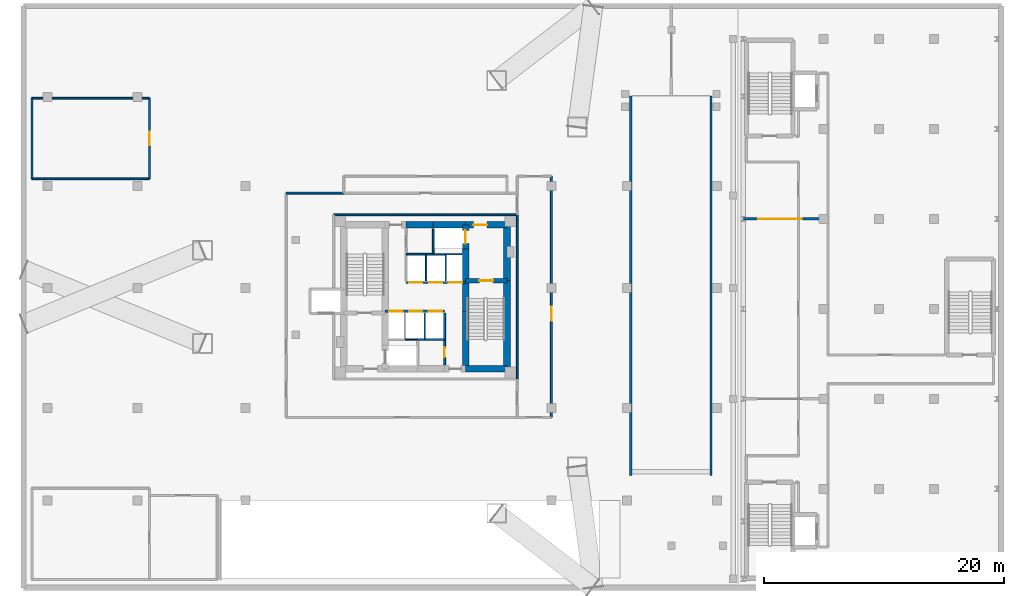
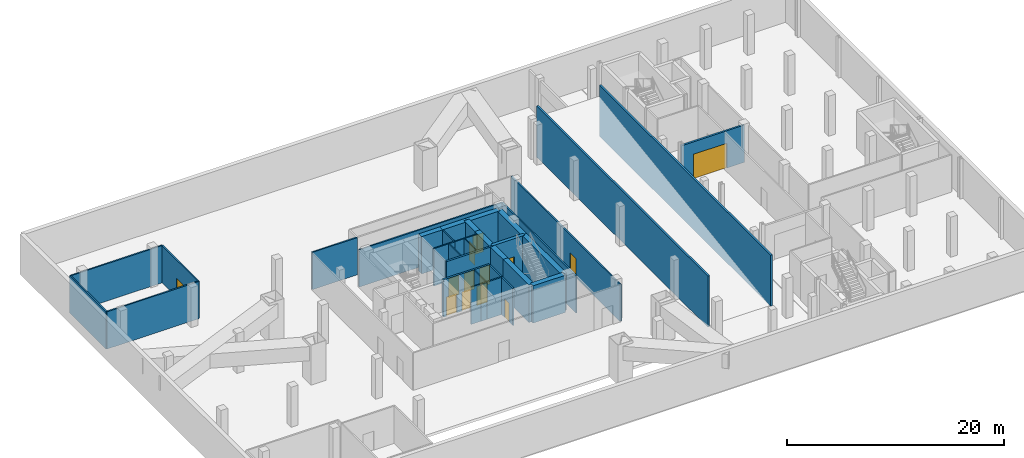
# One storey, part 7 of 14: 37 walls, 13 doors, 13 openings.
"""IFC4 building model written with IfcOpenShell, lengths in metres."""

from ifc_helpers import new_model, si_unit, direction, frame, frame_2d, origin, place, context, subcontext, project, spatial, rectangle, extrude, material, layer, layer_set, type_object, element, fill, save


model = new_model("IFC4")

# Units and contexts
model_context = context("Model", 3, precision=1e-05, world=origin(), true_north=direction((0.0, 1.0)))
body_context = subcontext(model_context, "Body", "Model", "MODEL_VIEW")
ifc_project = project(units=[si_unit("LENGTHUNIT", "METRE"), si_unit("AREAUNIT", "SQUARE_METRE"), si_unit("VOLUMEUNIT", "CUBIC_METRE"), si_unit("PLANEANGLEUNIT", "RADIAN"), si_unit("MASSUNIT", "GRAM", prefix="KILO")], contexts=[model_context])

# Site, building, storey
site_placement = place(None, origin())
site = spatial("IfcSite", under=ifc_project, at=site_placement, CompositionType="ELEMENT")
building_placement = place(site_placement, origin())
building = spatial("IfcBuilding", under=site, at=building_placement, Name="Mersakhor Tower and Convention Hall", CompositionType="ELEMENT")
storey_placement = place(building_placement, frame((0.0, 0.0, -4.5)))
storey = spatial("IfcBuildingStorey", under=building, at=storey_placement, Name="B01", CompositionType="ELEMENT", Elevation=-4.5)

# Walls
ifc_material_1 = material(Name="Precast concrete C40/50", Category="concrete")
ifc_layer_1 = layer(ifc_material_1, 0.199951171875)
ifc_layer_set_1 = layer_set([ifc_layer_1], Name="Precast concrete C40/50")
wall_type_1 = type_object("IfcWallType", Name="WL-PAR-200", PredefinedType="PARAPET", material=ifc_layer_set_1)
for number, where, z_axis, x_axis, name in (
    (1, (46.10009765625, 11.85009765625, 0.0), (0.0, 0.0, 1.0), (0.0, 1.0, 0.0), "Car Park Grade Ramp West Guard Wall"),
    (2, (52.800048828125, 43.5, 0.0), (0.0, 0.0, 1.0), (0.0, -1.0, 0.0), "Car Park Grade Ramp East Guard Wall"),
):
    element("IfcWall", number, at=place(storey_placement, frame(where, z_axis=z_axis, x_axis=x_axis)), inside=storey, type_object=wall_type_1, Name=name, PredefinedType="PARAPET", context=body_context, shape_type="SweptSolid", body=[
        extrude(rectangle(XDim=31.64990234375, YDim=0.199951171875, at=frame_2d((15.824951171875, 0.0))), origin(), (0.0, 0.0, 1.0), 5.75),
    ])
ifc_material_2 = material(Name="Lightweight gypsum partition", Category="other")
ifc_layer_2 = layer(ifc_material_2, 0.10009765625)
ifc_layer_set_2 = layer_set([ifc_layer_2], Name="Lightweight gypsum partition")
wall_type_2 = type_object("IfcWallType", Name="WL-PRT-100", PredefinedType="PARTITIONING", material=ifc_layer_set_2)
wall_1_placement = place(storey_placement, frame((27.300048828125, 23.199951171875, 0.0), z_axis=(0.0, 0.0, 1.0), x_axis=(1.0, 0.0, 0.0)))
element("IfcWall", 3, at=wall_1_placement, inside=storey, type_object=wall_type_2, Name="B01 Interior Partition Wall P-002", PredefinedType="PARTITIONING", context=body_context, shape_type="SweptSolid", body=[
    extrude(rectangle(XDim=1.050048828125, YDim=0.10009765625, at=frame_2d((0.52490234375, 0.0))), origin(), (0.0, 0.0, 1.0), 4.199951171875),
])
wall_2_placement = place(storey_placement, frame((32.02490234375, 30.300048828125, 0.0), z_axis=(0.0, 0.0, 1.0), x_axis=(-1.0, 0.0, 0.0)))
element("IfcWall", 4, at=wall_2_placement, inside=storey, type_object=wall_type_2, Name="B01 Interior Partition Wall P-004", PredefinedType="PARTITIONING", context=body_context, shape_type="SweptSolid", body=[
    extrude(rectangle(XDim=1.324951171875, YDim=0.10009765625, at=frame_2d((0.66259765625, 0.0))), origin(), (0.0, 0.0, 1.0), 4.199951171875),
])
for number, where, z_axis, x_axis, name in (
    (5, (28.949951171875, 25.39990234375, 0.0), (0.0, 0.0, 1.0), (0.0, -1.0, 0.0), "B01 Interior Partition Wall P-008"),
    (6, (30.699951171875, 30.300048828125, 0.0), (0.0, 0.0, 1.0), (0.0, -1.0, 0.0), "B01 Interior Partition Wall P-016"),
):
    element("IfcWall", number, at=place(storey_placement, frame(where, z_axis=z_axis, x_axis=x_axis)), inside=storey, type_object=wall_type_2, Name=name, PredefinedType="PARTITIONING", context=body_context, shape_type="SweptSolid", body=[
        extrude(rectangle(XDim=2.199951171875, YDim=0.10009765625, at=frame_2d((1.10009765625, 0.0))), origin(), (0.0, 0.0, 1.0), 4.199951171875),
    ])
ifc_material_3 = material(Name="Gypsum board acoustic partition", Category="other")
ifc_layer_3 = layer(ifc_material_3, 0.125)
ifc_layer_set_3 = layer_set([ifc_layer_3], Name="Gypsum board acoustic partition")
wall_type_3 = type_object("IfcWallType", Name="WL-PRT-125", PredefinedType="PARTITIONING", material=ifc_layer_set_3)
wall_3_placement = place(storey_placement, frame((30.699951171875, 30.300048828125, 0.0), z_axis=(0.0, 0.0, 1.0), x_axis=(-1.0, 0.0, 0.0)))
element("IfcWall", 7, at=wall_3_placement, inside=storey, type_object=wall_type_3, Name="B01 Interior Partition Wall P-005", PredefinedType="PARTITIONING", context=body_context, shape_type="SweptSolid", body=[
    extrude(rectangle(XDim=1.050048828125, YDim=0.125, at=frame_2d((0.52490234375, 0.0))), origin(), (0.0, 0.0, 1.0), 4.199951171875),
])
wall_4_placement = place(storey_placement, frame((29.050048828125, 30.300048828125, 0.0), z_axis=(0.0, 0.0, 1.0), x_axis=(0.0, -1.0, 0.0)))
element("IfcWall", 8, at=wall_4_placement, inside=storey, type_object=wall_type_3, Name="B01 Interior Partition Wall P-013", PredefinedType="PARTITIONING", context=body_context, shape_type="SweptSolid", body=[
    extrude(rectangle(XDim=2.199951171875, YDim=0.125, at=frame_2d((1.10009765625, 0.0))), origin(), (0.0, 0.0, 1.0), 4.199951171875),
])
ifc_material_4 = material(Name="Fire-rated gypsum board stud partition", Category="other")
ifc_layer_4 = layer(ifc_material_4, 0.14990234375)
ifc_layer_set_4 = layer_set([ifc_layer_4], Name="Fire-rated gypsum board stud partition")
wall_type_4 = type_object("IfcWallType", Name="WL-PRT-150", PredefinedType="PARTITIONING", material=ifc_layer_set_4)
wall_5_placement = place(storey_placement, frame((29.64990234375, 30.300048828125, 0.0), z_axis=(0.0, 0.0, 1.0), x_axis=(0.0, 1.0, 0.0)))
element("IfcWall", 9, at=wall_5_placement, inside=storey, type_object=wall_type_4, Name="B01 Interior Partition Wall P-006", PredefinedType="PARTITIONING", context=body_context, shape_type="SweptSolid", body=[
    extrude(rectangle(XDim=2.125, YDim=0.14990234375, at=frame_2d((1.0625, 0.0))), origin(), (0.0, 0.0, 1.0), 4.199951171875),
])
wall_6_placement = place(storey_placement, frame((28.949951171875, 23.199951171875, 0.0), z_axis=(0.0, 0.0, 1.0), x_axis=(-1.0, 0.0, 0.0)))
element("IfcWall", 10, at=wall_6_placement, inside=storey, type_object=wall_type_4, Name="B01 Interior Partition Wall P-009", PredefinedType="PARTITIONING", context=body_context, shape_type="SweptSolid", body=[
    extrude(rectangle(XDim=0.599853515625, YDim=0.14990234375, at=frame_2d((0.2998046875, 0.0))), origin(), (0.0, 0.0, 1.0), 4.199951171875),
])
wall_7_placement = place(storey_placement, frame((30.60009765625, 25.39990234375, 0.0), z_axis=(0.0, 0.0, 1.0), x_axis=(0.0, -1.0, 0.0)))
element("IfcWall", 11, at=wall_7_placement, inside=storey, type_object=wall_type_4, Name="B01 Interior Partition Wall P-010", PredefinedType="PARTITIONING", context=body_context, shape_type="SweptSolid", body=[
    extrude(rectangle(XDim=2.199951171875, YDim=0.14990234375, at=frame_2d((1.10009765625, 0.0))), origin(), (0.0, 0.0, 1.0), 4.199951171875),
])
for number, where, z_axis, x_axis, name in (
    (12, (30.60009765625, 23.199951171875, 0.0), (0.0, 0.0, 1.0), (-1.0, 0.0, 0.0), "B01 Interior Partition Wall P-011"),
    (13, (27.39990234375, 30.300048828125, 0.0), (0.0, 0.0, 1.0), (1.0, 0.0, 0.0), "B01 Interior Partition Wall P-012"),
):
    element("IfcWall", number, at=place(storey_placement, frame(where, z_axis=z_axis, x_axis=x_axis)), inside=storey, type_object=wall_type_4, Name=name, PredefinedType="PARTITIONING", context=body_context, shape_type="SweptSolid", body=[
        extrude(rectangle(XDim=1.650146484375, YDim=0.14990234375, at=frame_2d((0.8251953125, 0.0))), origin(), (0.0, 0.0, 1.0), 4.199951171875),
    ])
wall_8_placement = place(storey_placement, frame((29.050048828125, 30.300048828125, 0.0), z_axis=(0.0, 0.0, 1.0), x_axis=(1.0, 0.0, 0.0)))
element("IfcWall", 14, at=wall_8_placement, inside=storey, type_object=wall_type_4, Name="B01 Interior Partition Wall P-015", PredefinedType="PARTITIONING", context=body_context, shape_type="SweptSolid", body=[
    extrude(rectangle(XDim=0.599853515625, YDim=0.14990234375, at=frame_2d((0.2998046875, 0.0))), origin(), (0.0, 0.0, 1.0), 4.199951171875),
])

# Wall, opening, door
wall_9_placement = place(storey_placement, frame((30.60009765625, 21.074951171875, 0.0), z_axis=(0.0, 0.0, 1.0), x_axis=(0.0, 1.0, 0.0)))
wall_9 = element("IfcWall", 15, at=wall_9_placement, inside=storey, type_object=wall_type_4, Name="B01 Interior Partition Wall P-017", PredefinedType="PARTITIONING", context=body_context, shape_type="SweptSolid", body=[
    extrude(rectangle(XDim=2.125, YDim=0.14990234375, at=frame_2d((1.0625, 0.0))), origin(), (0.0, 0.0, 1.0), 4.199951171875),
])
opening_1_placement = place(wall_9_placement, frame((0.637451171875, 0.0, 0.0)))
opening_1 = element("IfcOpeningElement", 16, at=opening_1_placement, cuts=wall_9, Name="Opening SVD-01", PredefinedType="OPENING", context=body_context, shape_type="SweptSolid", body=[
    extrude(rectangle(XDim=0.85009765625, YDim=2.10009765625, at=frame_2d((0.425048828125, 1.050048828125))), frame((0.0, 0.0849609375, 0.0), z_axis=(0.0, -1.0, 0.0), x_axis=(1.0, 0.0, 0.0)), (0.0, 0.0, 1.0), 0.169921875),
])
ifc_material_5 = material(Name="Fire-rated hardwood leaf and painted steel frame", Category="steel")
door_type_1 = type_object("IfcDoorType", Name="DR-INT-SVC-085x210", OperationType="NOTDEFINED", PredefinedType="DOOR", material=ifc_material_5)
door_1_placement = place(opening_1_placement, origin())
door_1 = element("IfcDoor", 17, at=door_1_placement, inside=storey, type_object=door_type_1, Name="B01 Central Passenger Lift Lobby to Electrical Switchroom Door", OperationType="SINGLE_SWING_LEFT", OverallHeight=2.10009765625, OverallWidth=0.85009765625, PredefinedType="DOOR", context=body_context, shape_type="SweptSolid", body=[
    extrude(rectangle(XDim=0.85009765625, YDim=2.10009765625, at=frame_2d((0.425048828125, 1.050048828125))), frame((0.0, 0.02490234375, 0.0), z_axis=(0.0, -1.0, 0.0), x_axis=(1.0, 0.0, 0.0)), (0.0, 0.0, 1.0), 0.050048828125),
])
fill(opening_1, door_1)

# Walls
wall_10_placement = place(storey_placement, frame((17.39990234375, 35.39990234375, 0.0), z_axis=(0.0, 0.0, 1.0), x_axis=(1.0, 0.0, 0.0)))
element("IfcWall", 18, at=wall_10_placement, inside=storey, type_object=wall_type_4, Name="B01 Interior Partition Wall P-020", PredefinedType="PARTITIONING", context=body_context, shape_type="SweptSolid", body=[
    extrude(rectangle(XDim=4.800048828125, YDim=0.14990234375, at=frame_2d((2.39990234375, 0.0))), origin(), (0.0, 0.0, 1.0), 4.199951171875),
])
wall_11_placement = place(storey_placement, frame((36.64990234375, 33.60009765625, 0.0), z_axis=(0.0, 0.0, 1.0), x_axis=(-1.0, 0.0, 0.0)))
element("IfcWall", 19, at=wall_11_placement, inside=storey, type_object=wall_type_4, Name="B01 Interior Partition Wall P-024", PredefinedType="PARTITIONING", context=body_context, shape_type="SweptSolid", body=[
    extrude(rectangle(XDim=15.2998046875, YDim=0.14990234375, at=frame_2d((7.64990234375, 0.0))), origin(), (0.0, 0.0, 1.0), 4.199951171875),
])

# Wall, opening, door
wall_12_placement = place(storey_placement, frame((39.5, 36.800048828125, 0.0), z_axis=(0.0, 0.0, 1.0), x_axis=(0.0, -1.0, 0.0)))
wall_12 = element("IfcWall", 20, at=wall_12_placement, inside=storey, type_object=wall_type_4, Name="B01 Interior Partition Wall P-030", PredefinedType="PARTITIONING", context=body_context, shape_type="SweptSolid", body=[
    extrude(rectangle(XDim=20.10009765625, YDim=0.14990234375, at=frame_2d((10.050048828125, 0.0))), origin(), (0.0, 0.0, 1.0), 4.199951171875),
])
opening_2_placement = place(wall_12_placement, frame((10.88427734375, 0.0, 0.0)))
opening_2 = element("IfcOpeningElement", 21, at=opening_2_placement, cuts=wall_12, Name="Opening SD-01", PredefinedType="OPENING", context=body_context, shape_type="SweptSolid", body=[
    extrude(rectangle(XDim=1.14990234375, YDim=2.14990234375, at=frame_2d((0.574951171875, 1.074951171875))), frame((0.0, 0.0849609375, 0.0), z_axis=(0.0, -1.0, 0.0), x_axis=(1.0, 0.0, 0.0)), (0.0, 0.0, 1.0), 0.169921875),
])
ifc_material_6 = material(Name="Fire-rated hardwood leaf and painted steel frame", Category="steel")
door_type_2 = type_object("IfcDoorType", Name="DR-INT-STAIR-115x215", OperationType="NOTDEFINED", PredefinedType="DOOR", material=ifc_material_6)
door_2_placement = place(opening_2_placement, origin())
door_2 = element("IfcDoor", 22, at=door_2_placement, inside=storey, type_object=door_type_2, Name="B01 Basement Core Access Corridor East to Two-Way Basement Drive Aisle AISLE-E Door", OperationType="SINGLE_SWING_LEFT", OverallHeight=2.14990234375, OverallWidth=1.14990234375, PredefinedType="DOOR", context=body_context, shape_type="SweptSolid", body=[
    extrude(rectangle(XDim=1.14990234375, YDim=2.14990234375, at=frame_2d((0.574951171875, 1.074951171875))), frame((0.0, 0.02490234375, 0.0), z_axis=(0.0, -1.0, 0.0), x_axis=(1.0, 0.0, 0.0)), (0.0, 0.0, 1.0), 0.050048828125),
])
fill(opening_2, door_2)

# Walls
wall_13_placement = place(storey_placement, frame((36.64990234375, 19.89990234375, 0.0), z_axis=(0.0, 0.0, 1.0), x_axis=(0.0, 1.0, 0.0)))
element("IfcWall", 23, at=wall_13_placement, inside=storey, type_object=wall_type_4, Name="B01 Interior Partition Wall P-032", PredefinedType="PARTITIONING", context=body_context, shape_type="SweptSolid", body=[
    extrude(rectangle(XDim=13.7001953125, YDim=0.14990234375, at=frame_2d((6.85009765625, 0.0))), origin(), (0.0, 0.0, 1.0), 4.199951171875),
])
wall_14_placement = place(storey_placement, frame((-3.800048828125, 43.300048828125, 0.0), z_axis=(0.0, 0.0, 1.0), x_axis=(1.0, 0.0, 0.0)))
element("IfcWall", 24, at=wall_14_placement, inside=storey, type_object=wall_type_4, Name="B01 Interior Partition Wall P-061", PredefinedType="PARTITIONING", context=body_context, shape_type="SweptSolid", body=[
    extrude(rectangle(XDim=9.800048828125, YDim=0.14990234375, at=frame_2d((4.89990234375, 0.0))), origin(), (0.0, 0.0, 1.0), 4.199951171875),
])

# Wall, opening, door
wall_15_placement = place(storey_placement, frame((6.0, 43.300048828125, 0.0), z_axis=(0.0, 0.0, 1.0), x_axis=(0.0, -1.0, 0.0)))
wall_15 = element("IfcWall", 25, at=wall_15_placement, inside=storey, type_object=wall_type_4, Name="B01 Interior Partition Wall P-062", PredefinedType="PARTITIONING", context=body_context, shape_type="SweptSolid", body=[
    extrude(rectangle(XDim=6.699951171875, YDim=0.14990234375, at=frame_2d((3.35009765625, 0.0))), origin(), (0.0, 0.0, 1.0), 4.199951171875),
])
opening_3_placement = place(wall_15_placement, frame((2.77490234375, 0.0, 0.0)))
opening_3 = element("IfcOpeningElement", 26, at=opening_3_placement, cuts=wall_15, Name="Opening SD-01", PredefinedType="OPENING", context=body_context, shape_type="SweptSolid", body=[
    extrude(rectangle(XDim=1.14990234375, YDim=2.14990234375, at=frame_2d((0.574951171875, 1.074951171875))), frame((0.0, 0.0849609375, 0.0), z_axis=(0.0, -1.0, 0.0), x_axis=(1.0, 0.0, 0.0)), (0.0, 0.0, 1.0), 0.169921875),
])
door_3_placement = place(opening_3_placement, origin())
door_3 = element("IfcDoor", 27, at=door_3_placement, inside=storey, type_object=door_type_2, Name="B01 Two-Way Basement Drive Aisle AISLE-W to HV Transformer and Main LV Switchgear Substation Door", OperationType="SINGLE_SWING_LEFT", OverallHeight=2.14990234375, OverallWidth=1.14990234375, PredefinedType="DOOR", context=body_context, shape_type="SweptSolid", body=[
    extrude(rectangle(XDim=1.14990234375, YDim=2.14990234375, at=frame_2d((0.574951171875, 1.074951171875))), frame((0.0, 0.02490234375, 0.0), z_axis=(0.0, -1.0, 0.0), x_axis=(1.0, 0.0, 0.0)), (0.0, 0.0, 1.0), 0.050048828125),
])
fill(opening_3, door_3)

# Walls
wall_16_placement = place(storey_placement, frame((6.0, 36.60009765625, 0.0), z_axis=(0.0, 0.0, 1.0), x_axis=(-1.0, 0.0, 0.0)))
element("IfcWall", 28, at=wall_16_placement, inside=storey, type_object=wall_type_4, Name="B01 Interior Partition Wall P-063", PredefinedType="PARTITIONING", context=body_context, shape_type="SweptSolid", body=[
    extrude(rectangle(XDim=9.800048828125, YDim=0.14990234375, at=frame_2d((4.89990234375, 0.0))), origin(), (0.0, 0.0, 1.0), 4.199951171875),
])
wall_17_placement = place(storey_placement, frame((-3.800048828125, 36.60009765625, 0.0), z_axis=(0.0, 0.0, 1.0), x_axis=(0.0, 1.0, 0.0)))
element("IfcWall", 29, at=wall_17_placement, inside=storey, type_object=wall_type_4, Name="B01 Interior Partition Wall P-064", PredefinedType="PARTITIONING", context=body_context, shape_type="SweptSolid", body=[
    extrude(rectangle(XDim=6.699951171875, YDim=0.14990234375, at=frame_2d((3.35009765625, 0.0))), origin(), (0.0, 0.0, 1.0), 4.199951171875),
])

# Wall, openings, doors
ifc_material_7 = material(Name="Acoustic concrete blockwork and gypsum board", Category="masonry")
ifc_layer_5 = layer(ifc_material_7, 0.199951171875)
ifc_layer_set_5 = layer_set([ifc_layer_5], Name="Acoustic concrete blockwork and gypsum board")
wall_type_5 = type_object("IfcWallType", Name="WL-PRT-200", PredefinedType="PARTITIONING", material=ifc_layer_set_5)
wall_18_placement = place(storey_placement, frame((25.64990234375, 25.550048828125, 0.0), z_axis=(0.0, 0.0, 1.0), x_axis=(1.0, 0.0, 0.0)))
wall_18 = element("IfcWall", 30, at=wall_18_placement, inside=storey, type_object=wall_type_5, Name="B01 High-Rise Lift Bank Front Wall", PredefinedType="PARTITIONING", context=body_context, shape_type="SweptSolid", body=[
    extrude(rectangle(XDim=4.9501953125, YDim=0.199951171875, at=frame_2d((2.47509765625, 0.0))), origin(), (0.0, 0.0, 1.0), 4.199951171875),
])
opening_4_placement = place(wall_18_placement, frame((0.340087890625, 0.0, 0.0)))
opening_4 = element("IfcOpeningElement", 31, at=opening_4_placement, cuts=wall_18, Name="Opening LD-P4", PredefinedType="OPENING", context=body_context, shape_type="SweptSolid", body=[
    extrude(rectangle(XDim=1.10009765625, YDim=2.14990234375, at=frame_2d((0.550048828125, 1.074951171875))), frame((0.0, 0.10986328125, 0.0), z_axis=(0.0, -1.0, 0.0), x_axis=(1.0, 0.0, 0.0)), (0.0, 0.0, 1.0), 0.219970703125),
])
opening_5_placement = place(wall_18_placement, frame((1.989990234375, 0.0, 0.0)))
opening_5 = element("IfcOpeningElement", 32, at=opening_5_placement, cuts=wall_18, Name="Opening LD-P5", PredefinedType="OPENING", context=body_context, shape_type="SweptSolid", body=[
    extrude(rectangle(XDim=1.10009765625, YDim=2.14990234375, at=frame_2d((0.550048828125, 1.074951171875))), frame((0.0, 0.10986328125, 0.0), z_axis=(0.0, -1.0, 0.0), x_axis=(1.0, 0.0, 0.0)), (0.0, 0.0, 1.0), 0.219970703125),
])
opening_6_placement = place(wall_18_placement, frame((3.639892578125, 0.0, 0.0)))
opening_6 = element("IfcOpeningElement", 33, at=opening_6_placement, cuts=wall_18, Name="Opening LD-P6", PredefinedType="OPENING", context=body_context, shape_type="SweptSolid", body=[
    extrude(rectangle(XDim=1.10009765625, YDim=2.14990234375, at=frame_2d((0.550048828125, 1.074951171875))), frame((0.0, 0.10986328125, 0.0), z_axis=(0.0, -1.0, 0.0), x_axis=(1.0, 0.0, 0.0)), (0.0, 0.0, 1.0), 0.219970703125),
])
ifc_material_8 = material(Name="Fire-rated brushed stainless steel sliding landing door", Category="steel")
door_type_3 = type_object("IfcDoorType", Name="DR-LIFT-SLD-110x215", OperationType="NOTDEFINED", PredefinedType="DOOR", material=ifc_material_8)
door_4_placement = place(opening_4_placement, origin())
door_4 = element("IfcDoor", 34, at=door_4_placement, inside=storey, type_object=door_type_3, Name="B01 Lift Landing Door LD-P4", OperationType="SLIDING_TO_LEFT", OverallHeight=2.14990234375, OverallWidth=1.10009765625, PredefinedType="DOOR", context=body_context, shape_type="SweptSolid", body=[
    extrude(rectangle(XDim=1.10009765625, YDim=2.14990234375, at=frame_2d((0.550048828125, 1.074951171875))), frame((0.0, 0.02490234375, 0.0), z_axis=(0.0, -1.0, 0.0), x_axis=(1.0, 0.0, 0.0)), (0.0, 0.0, 1.0), 0.050048828125),
])
fill(opening_4, door_4)
door_5_placement = place(opening_5_placement, origin())
door_5 = element("IfcDoor", 35, at=door_5_placement, inside=storey, type_object=door_type_3, Name="B01 Lift Landing Door LD-P5", OperationType="SLIDING_TO_LEFT", OverallHeight=2.14990234375, OverallWidth=1.10009765625, PredefinedType="DOOR", context=body_context, shape_type="SweptSolid", body=[
    extrude(rectangle(XDim=1.10009765625, YDim=2.14990234375, at=frame_2d((0.550048828125, 1.074951171875))), frame((0.0, 0.02490234375, 0.0), z_axis=(0.0, -1.0, 0.0), x_axis=(1.0, 0.0, 0.0)), (0.0, 0.0, 1.0), 0.050048828125),
])
fill(opening_5, door_5)
door_6_placement = place(opening_6_placement, origin())
door_6 = element("IfcDoor", 36, at=door_6_placement, inside=storey, type_object=door_type_3, Name="B01 Lift Landing Door LD-P6", OperationType="SLIDING_TO_LEFT", OverallHeight=2.14990234375, OverallWidth=1.10009765625, PredefinedType="DOOR", context=body_context, shape_type="SweptSolid", body=[
    extrude(rectangle(XDim=1.10009765625, YDim=2.14990234375, at=frame_2d((0.550048828125, 1.074951171875))), frame((0.0, 0.02490234375, 0.0), z_axis=(0.0, -1.0, 0.0), x_axis=(1.0, 0.0, 0.0)), (0.0, 0.0, 1.0), 0.050048828125),
])
fill(opening_6, door_6)

wall_19_placement = place(storey_placement, frame((27.39990234375, 27.949951171875, 0.0), z_axis=(0.0, 0.0, 1.0), x_axis=(1.0, 0.0, 0.0)))
wall_19 = element("IfcWall", 37, at=wall_19_placement, inside=storey, type_object=wall_type_5, Name="B01 Low-Rise Lift Bank Front Wall", PredefinedType="PARTITIONING", context=body_context, shape_type="SweptSolid", body=[
    extrude(rectangle(XDim=4.9501953125, YDim=0.199951171875, at=frame_2d((2.47509765625, 0.0))), origin(), (0.0, 0.0, 1.0), 4.199951171875),
])
opening_7_placement = place(wall_19_placement, frame((0.25, 0.0, 0.0)))
opening_7 = element("IfcOpeningElement", 38, at=opening_7_placement, cuts=wall_19, Name="Opening LD-P1", PredefinedType="OPENING", context=body_context, shape_type="SweptSolid", body=[
    extrude(rectangle(XDim=1.10009765625, YDim=2.14990234375, at=frame_2d((0.550048828125, 1.074951171875))), frame((0.0, 0.10986328125, 0.0), z_axis=(0.0, -1.0, 0.0), x_axis=(1.0, 0.0, 0.0)), (0.0, 0.0, 1.0), 0.219970703125),
])
opening_8_placement = place(wall_19_placement, frame((1.89990234375, 0.0, 0.0)))
opening_8 = element("IfcOpeningElement", 39, at=opening_8_placement, cuts=wall_19, Name="Opening LD-P2", PredefinedType="OPENING", context=body_context, shape_type="SweptSolid", body=[
    extrude(rectangle(XDim=1.10009765625, YDim=2.14990234375, at=frame_2d((0.550048828125, 1.074951171875))), frame((0.0, 0.10986328125, 0.0), z_axis=(0.0, -1.0, 0.0), x_axis=(1.0, 0.0, 0.0)), (0.0, 0.0, 1.0), 0.219970703125),
])
opening_9_placement = place(wall_19_placement, frame((3.550048828125, 0.0, 0.0)))
opening_9 = element("IfcOpeningElement", 40, at=opening_9_placement, cuts=wall_19, Name="Opening LD-P3", PredefinedType="OPENING", context=body_context, shape_type="SweptSolid", body=[
    extrude(rectangle(XDim=1.10009765625, YDim=2.14990234375, at=frame_2d((0.550048828125, 1.074951171875))), frame((0.0, 0.10986328125, 0.0), z_axis=(0.0, -1.0, 0.0), x_axis=(1.0, 0.0, 0.0)), (0.0, 0.0, 1.0), 0.219970703125),
])
door_7_placement = place(opening_7_placement, origin())
door_7 = element("IfcDoor", 41, at=door_7_placement, inside=storey, type_object=door_type_3, Name="B01 Lift Landing Door LD-P1", OperationType="SLIDING_TO_LEFT", OverallHeight=2.14990234375, OverallWidth=1.10009765625, PredefinedType="DOOR", context=body_context, shape_type="SweptSolid", body=[
    extrude(rectangle(XDim=1.10009765625, YDim=2.14990234375, at=frame_2d((0.550048828125, 1.074951171875))), frame((0.0, 0.02490234375, 0.0), z_axis=(0.0, -1.0, 0.0), x_axis=(1.0, 0.0, 0.0)), (0.0, 0.0, 1.0), 0.050048828125),
])
fill(opening_7, door_7)
door_8_placement = place(opening_8_placement, origin())
door_8 = element("IfcDoor", 42, at=door_8_placement, inside=storey, type_object=door_type_3, Name="B01 Lift Landing Door LD-P2", OperationType="SLIDING_TO_LEFT", OverallHeight=2.14990234375, OverallWidth=1.10009765625, PredefinedType="DOOR", context=body_context, shape_type="SweptSolid", body=[
    extrude(rectangle(XDim=1.10009765625, YDim=2.14990234375, at=frame_2d((0.550048828125, 1.074951171875))), frame((0.0, 0.02490234375, 0.0), z_axis=(0.0, -1.0, 0.0), x_axis=(1.0, 0.0, 0.0)), (0.0, 0.0, 1.0), 0.050048828125),
])
fill(opening_8, door_8)
door_9_placement = place(opening_9_placement, origin())
door_9 = element("IfcDoor", 43, at=door_9_placement, inside=storey, type_object=door_type_3, Name="B01 Lift Landing Door LD-P3", OperationType="SLIDING_TO_LEFT", OverallHeight=2.14990234375, OverallWidth=1.10009765625, PredefinedType="DOOR", context=body_context, shape_type="SweptSolid", body=[
    extrude(rectangle(XDim=1.10009765625, YDim=2.14990234375, at=frame_2d((0.550048828125, 1.074951171875))), frame((0.0, 0.02490234375, 0.0), z_axis=(0.0, -1.0, 0.0), x_axis=(1.0, 0.0, 0.0)), (0.0, 0.0, 1.0), 0.050048828125),
])
fill(opening_9, door_9)

# Wall, opening, door
wall_20_placement = place(storey_placement, frame((55.5, 33.25, 0.0), z_axis=(0.0, 0.0, 1.0), x_axis=(1.0, 0.0, 0.0)))
wall_20 = element("IfcWall", 44, at=wall_20_placement, inside=storey, type_object=wall_type_5, Name="B01 Basement Fire Compartment Wall FG-3", PredefinedType="PARTITIONING", context=body_context, shape_type="SweptSolid", body=[
    extrude(rectangle(XDim=6.699951171875, YDim=0.199951171875, at=frame_2d((3.35009765625, 0.0))), origin(), (0.0, 0.0, 1.0), 4.199951171875),
])
opening_10_placement = place(wall_20_placement, frame((1.25, 0.0, 0.0)))
opening_10 = element("IfcOpeningElement", 45, at=opening_10_placement, cuts=wall_20, Name="Opening GATE-03", PredefinedType="OPENING", context=body_context, shape_type="SweptSolid", body=[
    extrude(rectangle(XDim=3.60009765625, YDim=2.800048828125, at=frame_2d((1.800048828125, 1.39990234375))), frame((0.0, 0.10986328125, 0.0), z_axis=(0.0, -1.0, 0.0), x_axis=(1.0, 0.0, 0.0)), (0.0, 0.0, 1.0), 0.219970703125),
])
ifc_material_9 = material(Name="Thermally broken dark aluminium and safety glass", Category="aluminium")
door_type_4 = type_object("IfcDoorType", Name="DR-GATE-BSM-360x280", OperationType="NOTDEFINED", PredefinedType="GATE", material=ifc_material_9)
door_10_placement = place(opening_10_placement, origin())
door_10 = element("IfcDoor", 46, at=door_10_placement, inside=storey, type_object=door_type_4, Name="B01 Basement Compartment Fire Shutter Gate BG-3", OperationType="ROLLINGUP", OverallHeight=2.800048828125, OverallWidth=3.60009765625, PredefinedType="GATE", context=body_context, shape_type="SweptSolid", body=[
    extrude(rectangle(XDim=3.60009765625, YDim=2.800048828125, at=frame_2d((1.800048828125, 1.39990234375))), frame((0.0, 0.02490234375, 0.0), z_axis=(0.0, -1.0, 0.0), x_axis=(1.0, 0.0, 0.0)), (0.0, 0.0, 1.0), 0.050048828125),
])
fill(opening_10, door_10)

ifc_material_10 = material(Name="Concrete C50/60", Category="concrete")
ifc_layer_6 = layer(ifc_material_10, 0.35009765625)
ifc_layer_set_6 = layer_set([ifc_layer_6], Name="Concrete C50/60")
wall_type_6 = type_object("IfcWallType", Name="WL-SHR-350", PredefinedType="SHEAR", material=ifc_layer_set_6)
wall_21_placement = place(storey_placement, frame((32.35009765625, 28.10009765625, 0.0), z_axis=(0.0, 0.0, 1.0), x_axis=(1.0, 0.0, 0.0)))
wall_21 = element("IfcWall", 47, at=wall_21_placement, inside=storey, type_object=wall_type_6, Name="B01 Core Wall CS-ST2-N", PredefinedType="SHEAR", context=body_context, shape_type="SweptSolid", body=[
    extrude(rectangle(XDim=3.449951171875, YDim=0.35009765625, at=frame_2d((1.72509765625, 0.0))), origin(), (0.0, 0.0, 1.0), 4.199951171875),
])
opening_11_placement = place(wall_21_placement, frame((1.14990234375, 0.0, 0.0)))
opening_11 = element("IfcOpeningElement", 48, at=opening_11_placement, cuts=wall_21, Name="Opening SD-01", PredefinedType="OPENING", context=body_context, shape_type="SweptSolid", body=[
    extrude(rectangle(XDim=1.14990234375, YDim=2.14990234375, at=frame_2d((0.574951171875, 1.074951171875))), frame((0.0, 0.18505859375, 0.0), z_axis=(0.0, -1.0, 0.0), x_axis=(1.0, 0.0, 0.0)), (0.0, 0.0, 1.0), 0.3701171875),
])
door_11_placement = place(opening_11_placement, origin())
door_11 = element("IfcDoor", 49, at=door_11_placement, inside=storey, type_object=door_type_2, Name="B01 Exit Stair ST-2 Enclosure Door", OperationType="SINGLE_SWING_RIGHT", OverallHeight=2.14990234375, OverallWidth=1.14990234375, PredefinedType="DOOR", context=body_context, shape_type="SweptSolid", body=[
    extrude(rectangle(XDim=1.14990234375, YDim=2.14990234375, at=frame_2d((0.574951171875, 1.074951171875))), frame((0.0, 0.02490234375, 0.0), z_axis=(0.0, -1.0, 0.0), x_axis=(1.0, 0.0, 0.0)), (0.0, 0.0, 1.0), 0.050048828125),
])
fill(opening_11, door_11)

# Walls
ifc_material_11 = material(Name="Concrete C70/85", Category="concrete")
ifc_layer_7 = layer(ifc_material_11, 0.550048828125)
ifc_layer_set_7 = layer_set([ifc_layer_7], Name="Concrete C70/85")
wall_type_7 = type_object("IfcWallType", Name="WL-SHR-550", PredefinedType="SHEAR", material=ifc_layer_set_7)
wall_22_placement = place(storey_placement, frame((27.39990234375, 32.75, 0.0), z_axis=(0.0, 0.0, 1.0), x_axis=(1.0, 0.0, 0.0)))
element("IfcWall", 50, at=wall_22_placement, inside=storey, type_object=wall_type_7, Name="B01 Core Wall CW-N2B", PredefinedType="SHEAR", context=body_context, shape_type="SweptSolid", body=[
    extrude(rectangle(XDim=2.25, YDim=0.550048828125, at=frame_2d((1.125, 0.0))), origin(), (0.0, 0.0, 1.0), 4.199951171875),
])
wall_23_placement = place(storey_placement, frame((29.64990234375, 32.75, 0.0), z_axis=(0.0, 0.0, 1.0), x_axis=(1.0, 0.0, 0.0)))
element("IfcWall", 51, at=wall_23_placement, inside=storey, type_object=wall_type_7, Name="B01 Core Wall CW-N3", PredefinedType="SHEAR", context=body_context, shape_type="SweptSolid", body=[
    extrude(rectangle(XDim=2.7001953125, YDim=0.550048828125, at=frame_2d((1.35009765625, 0.0))), origin(), (0.0, 0.0, 1.0), 4.199951171875),
])

# Wall, opening, door
wall_24_placement = place(storey_placement, frame((32.35009765625, 32.75, 0.0), z_axis=(0.0, 0.0, 1.0), x_axis=(1.0, 0.0, 0.0)))
wall_24 = element("IfcWall", 52, at=wall_24_placement, inside=storey, type_object=wall_type_7, Name="B01 Core Wall CW-N4", PredefinedType="SHEAR", context=body_context, shape_type="SweptSolid", body=[
    extrude(rectangle(XDim=3.449951171875, YDim=0.550048828125, at=frame_2d((1.72509765625, 0.0))), origin(), (0.0, 0.0, 1.0), 4.199951171875),
])
opening_12_placement = place(wall_24_placement, frame((0.64990234375, 0.0, 0.0)))
opening_12 = element("IfcOpeningElement", 53, at=opening_12_placement, cuts=wall_24, Name="Opening SD-01", PredefinedType="OPENING", context=body_context, shape_type="SweptSolid", body=[
    extrude(rectangle(XDim=1.14990234375, YDim=2.14990234375, at=frame_2d((0.574951171875, 1.074951171875))), frame((0.0, 0.284912109375, 0.0), z_axis=(0.0, -1.0, 0.0), x_axis=(1.0, 0.0, 0.0)), (0.0, 0.0, 1.0), 0.570068359375),
])
door_12_placement = place(opening_12_placement, origin())
door_12 = element("IfcDoor", 54, at=door_12_placement, inside=storey, type_object=door_type_2, Name="B01 Firefighting Lobby East Fire Door", OperationType="SINGLE_SWING_RIGHT", OverallHeight=2.14990234375, OverallWidth=1.14990234375, PredefinedType="DOOR", context=body_context, shape_type="SweptSolid", body=[
    extrude(rectangle(XDim=1.14990234375, YDim=2.14990234375, at=frame_2d((0.574951171875, 1.074951171875))), frame((0.0, 0.02490234375, 0.0), z_axis=(0.0, -1.0, 0.0), x_axis=(1.0, 0.0, 0.0)), (0.0, 0.0, 1.0), 0.050048828125),
])
fill(opening_12, door_12)

# Walls
wall_25_placement = place(storey_placement, frame((35.800048828125, 32.75, 0.0), z_axis=(0.0, 0.0, 1.0), x_axis=(0.0, -1.0, 0.0)))
element("IfcWall", 55, at=wall_25_placement, inside=storey, type_object=wall_type_7, Name="B01 Core Wall CW-E1", PredefinedType="SHEAR", context=body_context, shape_type="SweptSolid", body=[
    extrude(rectangle(XDim=4.64990234375, YDim=0.550048828125, at=frame_2d((2.324951171875, 0.0))), origin(), (0.0, 0.0, 1.0), 4.199951171875),
])
wall_26_placement = place(storey_placement, frame((35.800048828125, 28.10009765625, 0.0), z_axis=(0.0, 0.0, 1.0), x_axis=(0.0, -1.0, 0.0)))
element("IfcWall", 56, at=wall_26_placement, inside=storey, type_object=wall_type_7, Name="B01 Core Wall CW-E2", PredefinedType="SHEAR", context=body_context, shape_type="SweptSolid", body=[
    extrude(rectangle(XDim=7.35009765625, YDim=0.550048828125, at=frame_2d((3.675048828125, 0.0))), origin(), (0.0, 0.0, 1.0), 4.199951171875),
])
wall_27_placement = place(storey_placement, frame((35.800048828125, 20.75, 0.0), z_axis=(0.0, 0.0, 1.0), x_axis=(-1.0, 0.0, 0.0)))
element("IfcWall", 57, at=wall_27_placement, inside=storey, type_object=wall_type_7, Name="B01 Core Wall CW-S1", PredefinedType="SHEAR", context=body_context, shape_type="SweptSolid", body=[
    extrude(rectangle(XDim=3.449951171875, YDim=0.550048828125, at=frame_2d((1.72509765625, 0.0))), origin(), (0.0, 0.0, 1.0), 4.199951171875),
])
wall_28_placement = place(storey_placement, frame((32.35009765625, 20.75, 0.0), z_axis=(0.0, 0.0, 1.0), x_axis=(0.0, 1.0, 0.0)))
element("IfcWall", 58, at=wall_28_placement, inside=storey, type_object=wall_type_7, Name="B01 Core Wall CS-E-ST2", PredefinedType="SHEAR", context=body_context, shape_type="SweptSolid", body=[
    extrude(rectangle(XDim=4.800048828125, YDim=0.550048828125, at=frame_2d((2.39990234375, 0.0))), origin(), (0.0, 0.0, 1.0), 4.199951171875),
])
wall_29_placement = place(storey_placement, frame((32.35009765625, 25.550048828125, 0.0), z_axis=(0.0, 0.0, 1.0), x_axis=(0.0, 1.0, 0.0)))
element("IfcWall", 59, at=wall_29_placement, inside=storey, type_object=wall_type_7, Name="B01 Core Wall CS-E-LOB", PredefinedType="SHEAR", context=body_context, shape_type="SweptSolid", body=[
    extrude(rectangle(XDim=2.39990234375, YDim=0.550048828125, at=frame_2d((1.199951171875, 0.0))), origin(), (0.0, 0.0, 1.0), 4.199951171875),
])
wall_30_placement = place(storey_placement, frame((32.35009765625, 27.949951171875, 0.0), z_axis=(0.0, 0.0, 1.0), x_axis=(0.0, 1.0, 0.0)))
element("IfcWall", 60, at=wall_30_placement, inside=storey, type_object=wall_type_7, Name="B01 Core Wall CS-E-MID", PredefinedType="SHEAR", context=body_context, shape_type="SweptSolid", body=[
    extrude(rectangle(XDim=2.800048828125, YDim=0.550048828125, at=frame_2d((1.39990234375, 0.0))), origin(), (0.0, 0.0, 1.0), 4.199951171875),
])

# Wall, opening, door
wall_31_placement = place(storey_placement, frame((32.35009765625, 30.75, 0.0), z_axis=(0.0, 0.0, 1.0), x_axis=(0.0, 1.0, 0.0)))
wall_31 = element("IfcWall", 61, at=wall_31_placement, inside=storey, type_object=wall_type_7, Name="B01 Core Wall CS-E-FFL", PredefinedType="SHEAR", context=body_context, shape_type="SweptSolid", body=[
    extrude(rectangle(XDim=2.0, YDim=0.550048828125, at=frame_2d((1.0, 0.0))), origin(), (0.0, 0.0, 1.0), 4.199951171875),
])
opening_13_placement = place(wall_31_placement, frame((0.449951171875, 0.0, 0.0)))
opening_13 = element("IfcOpeningElement", 62, at=opening_13_placement, cuts=wall_31, Name="Opening LD-FFL2", PredefinedType="OPENING", context=body_context, shape_type="SweptSolid", body=[
    extrude(rectangle(XDim=1.10009765625, YDim=2.14990234375, at=frame_2d((0.550048828125, 1.074951171875))), frame((0.0, 0.284912109375, 0.0), z_axis=(0.0, -1.0, 0.0), x_axis=(1.0, 0.0, 0.0)), (0.0, 0.0, 1.0), 0.570068359375),
])
door_13_placement = place(opening_13_placement, origin())
door_13 = element("IfcDoor", 63, at=door_13_placement, inside=storey, type_object=door_type_3, Name="B01 Firefighting Lift Landing Door LD-FFL2", OperationType="SLIDING_TO_LEFT", OverallHeight=2.14990234375, OverallWidth=1.10009765625, PredefinedType="DOOR", context=body_context, shape_type="SweptSolid", body=[
    extrude(rectangle(XDim=1.10009765625, YDim=2.14990234375, at=frame_2d((0.550048828125, 1.074951171875))), frame((0.0, 0.02490234375, 0.0), z_axis=(0.0, -1.0, 0.0), x_axis=(1.0, 0.0, 0.0)), (0.0, 0.0, 1.0), 0.050048828125),
])
fill(opening_13, door_13)

save(model, "model.ifc")
